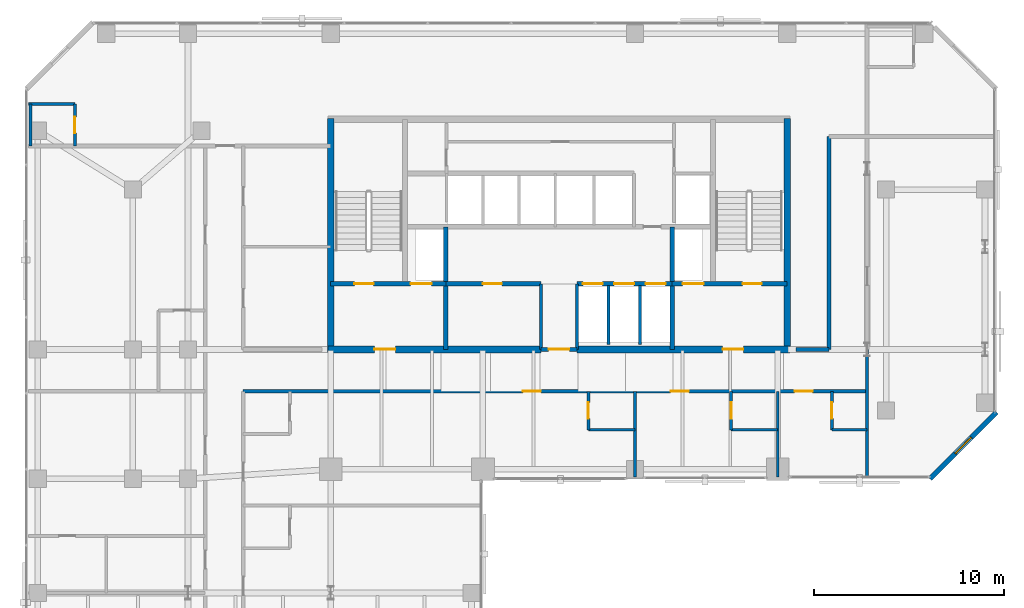
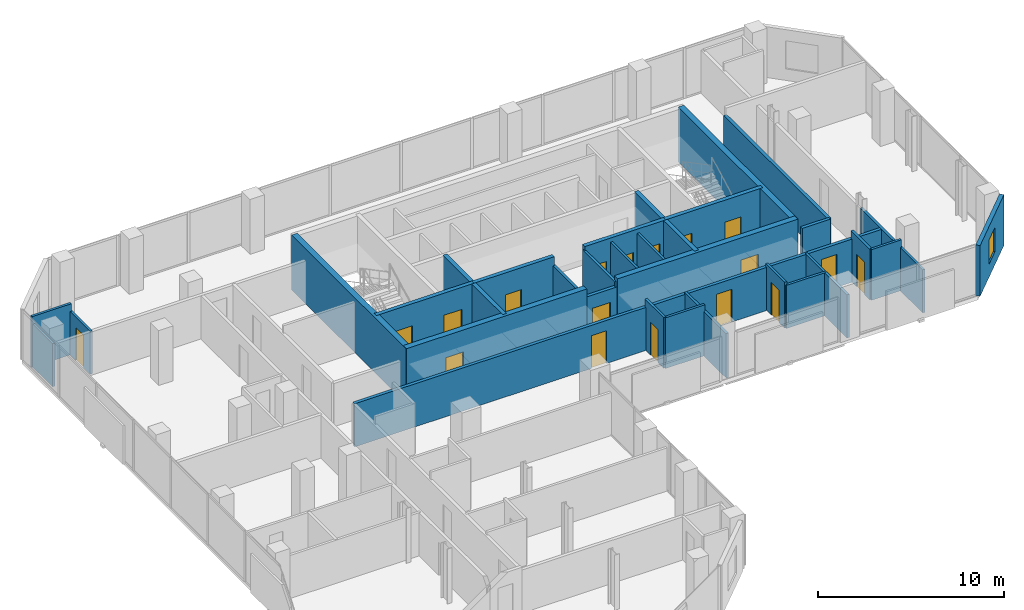
# One storey, part 29 of 34: 31 walls, 18 doors, 1 window, 19 openings.
"""IFC4 building model written with IfcOpenShell, lengths in metres."""

from ifc_helpers import new_model, si_unit, direction, frame, frame_2d, origin, place, context, subcontext, project, spatial, rectangle, extrude, material, layer, layer_set, type_object, element, fill, save


model = new_model("IFC4")

# Units and contexts
model_context = context("Model", 3, precision=1e-05, world=origin(), true_north=direction((0.0, 1.0)))
body_context = subcontext(model_context, "Body", "Model", "MODEL_VIEW")
ifc_project = project(units=[si_unit("LENGTHUNIT", "METRE"), si_unit("AREAUNIT", "SQUARE_METRE"), si_unit("VOLUMEUNIT", "CUBIC_METRE"), si_unit("PLANEANGLEUNIT", "RADIAN"), si_unit("MASSUNIT", "GRAM", prefix="KILO")], contexts=[model_context])

# Site, building, storey
site_placement = place(None, origin())
site = spatial("IfcSite", under=ifc_project, at=site_placement, CompositionType="ELEMENT")
building_placement = place(site_placement, origin())
building = spatial("IfcBuilding", under=site, at=building_placement, Name="Catumbela Crestline Tower", CompositionType="ELEMENT")
storey_placement = place(building_placement, frame((0.0, 0.0, 93.6)))
storey = spatial("IfcBuildingStorey", under=building, at=storey_placement, Name="L23", CompositionType="ELEMENT", Elevation=93.6)

# Walls
ifc_material_1 = material(Name="Concrete C50/60", Category="concrete")
ifc_layer_1 = layer(ifc_material_1, 0.25, Name="Concrete C50/60")
ifc_layer_set_1 = layer_set([ifc_layer_1], Name="Concrete C50/60")
wall_type_1 = type_object("IfcWallType", Name="CW-250D", PredefinedType="SHEAR", material=ifc_layer_set_1)
for number, where, z_axis, x_axis, name in (
    (1, (22.05, 30.8, 0.0), (0.0, 0.0, 1.0), (0.0, 1.0, 0.0), "L23 Structural Core Shear Wall FFW"),
    (2, (33.95, 30.8, 0.0), (0.0, 0.0, 1.0), (0.0, 1.0, 0.0), "L23 Structural Core Shear Wall FFE"),
):
    element("IfcWall", number, at=place(storey_placement, frame(where, z_axis=z_axis, x_axis=x_axis)), inside=storey, type_object=wall_type_1, Name=name, PredefinedType="SHEAR", context=body_context, shape_type="SweptSolid", body=[
        extrude(rectangle(XDim=6.45, YDim=0.25, at=frame_2d((3.225, 0.0))), origin(), (0.0, 0.0, 1.0), 3.6),
    ])

# Wall, openings, doors
wall_1_placement = place(storey_placement, frame((16.0, 34.25, 0.0), z_axis=(0.0, 0.0, 1.0), x_axis=(1.0, 0.0, 0.0)))
wall_1 = element("IfcWall", 3, at=wall_1_placement, inside=storey, type_object=wall_type_1, Name="L23 Structural Core Shear Wall ST1S", PredefinedType="SHEAR", context=body_context, shape_type="SweptSolid", body=[
    extrude(rectangle(XDim=6.05, YDim=0.25, at=frame_2d((3.025, 0.0))), origin(), (0.0, 0.0, 1.0), 3.6),
])
opening_1_placement = place(wall_1_placement, frame((1.25, 0.0, 0.0)))
opening_1 = element("IfcOpeningElement", 4, at=opening_1_placement, cuts=wall_1, Name="Opening DF9-100", PredefinedType="OPENING", context=body_context, shape_type="SweptSolid", body=[
    extrude(rectangle(XDim=1.0, YDim=2.15, at=frame_2d((0.5, 1.075))), frame((0.0, 0.135, 0.0), z_axis=(0.0, -1.0, 0.0), x_axis=(1.0, 0.0, 0.0)), (0.0, 0.0, 1.0), 0.27),
])
opening_2_placement = place(wall_1_placement, frame((4.2, 0.0, 0.0)))
opening_2 = element("IfcOpeningElement", 5, at=opening_2_placement, cuts=wall_1, Name="Opening LD-110", PredefinedType="OPENING", context=body_context, shape_type="SweptSolid", body=[
    extrude(rectangle(XDim=1.1, YDim=2.15, at=frame_2d((0.55, 1.075))), frame((0.0, 0.135, 0.0), z_axis=(0.0, -1.0, 0.0), x_axis=(1.0, 0.0, 0.0)), (0.0, 0.0, 1.0), 0.27),
])
ifc_material_2 = material(Name="Stainless steel EN 1.4401", Category="steel")
door_type_1 = type_object("IfcDoorType", Name="DF9-100", OperationType="NOTDEFINED", PredefinedType="DOOR", material=ifc_material_2)
door_1_placement = place(opening_1_placement, origin())
door_1 = element("IfcDoor", 6, at=door_1_placement, inside=storey, type_object=door_type_1, Name="L23 Interior Door DR-L23-ST01", OperationType="SINGLE_SWING_LEFT", OverallHeight=2.15, OverallWidth=1.0, PredefinedType="DOOR", context=body_context, shape_type="SweptSolid", body=[
    extrude(rectangle(XDim=1.0, YDim=2.15, at=frame_2d((0.5, 1.075))), frame((0.0, 0.025, 0.0), z_axis=(0.0, -1.0, 0.0), x_axis=(1.0, 0.0, 0.0)), (0.0, 0.0, 1.0), 0.05),
])
fill(opening_1, door_1)
door_type_2 = type_object("IfcDoorType", Name="LD-110", OperationType="NOTDEFINED", PredefinedType="DOOR", material=ifc_material_2)
door_2_placement = place(opening_2_placement, origin())
door_2 = element("IfcDoor", 7, at=door_2_placement, inside=storey, type_object=door_type_2, Name="L23 Lift Landing Sliding Door FL-01", OperationType="DOUBLE_DOOR_SLIDING", OverallHeight=2.15, OverallWidth=1.1, PredefinedType="DOOR", context=body_context, shape_type="SweptSolid", body=[
    extrude(rectangle(XDim=1.1, YDim=2.15, at=frame_2d((0.55, 1.075))), frame((0.0, 0.025, 0.0), z_axis=(0.0, -1.0, 0.0), x_axis=(1.0, 0.0, 0.0)), (0.0, 0.0, 1.0), 0.05),
])
fill(opening_2, door_2)

wall_2_placement = place(storey_placement, frame((33.95, 34.25, 0.0), z_axis=(0.0, 0.0, 1.0), x_axis=(1.0, 0.0, 0.0)))
wall_2 = element("IfcWall", 8, at=wall_2_placement, inside=storey, type_object=wall_type_1, Name="L23 Structural Core Shear Wall ST2S", PredefinedType="SHEAR", context=body_context, shape_type="SweptSolid", body=[
    extrude(rectangle(XDim=6.05, YDim=0.25, at=frame_2d((3.025, 0.0))), origin(), (0.0, 0.0, 1.0), 3.6),
])
opening_3_placement = place(wall_2_placement, frame((3.7, 0.0, 0.0)))
opening_3 = element("IfcOpeningElement", 9, at=opening_3_placement, cuts=wall_2, Name="Opening DF9-100", PredefinedType="OPENING", context=body_context, shape_type="SweptSolid", body=[
    extrude(rectangle(XDim=1.0, YDim=2.15, at=frame_2d((0.5, 1.075))), frame((0.0, 0.135, 0.0), z_axis=(0.0, -1.0, 0.0), x_axis=(1.0, 0.0, 0.0)), (0.0, 0.0, 1.0), 0.27),
])
opening_4_placement = place(wall_2_placement, frame((0.55, 0.0, 0.0)))
opening_4 = element("IfcOpeningElement", 10, at=opening_4_placement, cuts=wall_2, Name="Opening LD-110", PredefinedType="OPENING", context=body_context, shape_type="SweptSolid", body=[
    extrude(rectangle(XDim=1.1, YDim=2.15, at=frame_2d((0.55, 1.075))), frame((0.0, 0.135, 0.0), z_axis=(0.0, -1.0, 0.0), x_axis=(1.0, 0.0, 0.0)), (0.0, 0.0, 1.0), 0.27),
])
door_3_placement = place(opening_3_placement, origin())
door_3 = element("IfcDoor", 11, at=door_3_placement, inside=storey, type_object=door_type_1, Name="L23 Interior Door DR-L23-ST02", OperationType="SINGLE_SWING_RIGHT", OverallHeight=2.15, OverallWidth=1.0, PredefinedType="DOOR", context=body_context, shape_type="SweptSolid", body=[
    extrude(rectangle(XDim=1.0, YDim=2.15, at=frame_2d((0.5, 1.075))), frame((0.0, 0.025, 0.0), z_axis=(0.0, -1.0, 0.0), x_axis=(1.0, 0.0, 0.0)), (0.0, 0.0, 1.0), 0.05),
])
fill(opening_3, door_3)
door_4_placement = place(opening_4_placement, origin())
door_4 = element("IfcDoor", 12, at=door_4_placement, inside=storey, type_object=door_type_2, Name="L23 Lift Landing Sliding Door FL-02", OperationType="DOUBLE_DOOR_SLIDING", OverallHeight=2.15, OverallWidth=1.1, PredefinedType="DOOR", context=body_context, shape_type="SweptSolid", body=[
    extrude(rectangle(XDim=1.1, YDim=2.15, at=frame_2d((0.55, 1.075))), frame((0.0, 0.025, 0.0), z_axis=(0.0, -1.0, 0.0), x_axis=(1.0, 0.0, 0.0)), (0.0, 0.0, 1.0), 0.05),
])
fill(opening_4, door_4)

# Wall, opening, door
wall_3_placement = place(storey_placement, frame((22.05, 34.25, 0.0), z_axis=(0.0, 0.0, 1.0), x_axis=(1.0, 0.0, 0.0)))
wall_3 = element("IfcWall", 13, at=wall_3_placement, inside=storey, type_object=wall_type_1, Name="L23 Structural Core Shear Wall LIFTS-W", PredefinedType="SHEAR", context=body_context, shape_type="SweptSolid", body=[
    extrude(rectangle(XDim=5.0, YDim=0.25, at=frame_2d((2.5, 0.0))), origin(), (0.0, 0.0, 1.0), 3.6),
])
opening_5_placement = place(wall_3_placement, frame((1.95, 0.0, 0.0)))
opening_5 = element("IfcOpeningElement", 14, at=opening_5_placement, cuts=wall_3, Name="Opening DF9-100", PredefinedType="OPENING", context=body_context, shape_type="SweptSolid", body=[
    extrude(rectangle(XDim=1.0, YDim=2.15, at=frame_2d((0.5, 1.075))), frame((0.0, 0.135, 0.0), z_axis=(0.0, -1.0, 0.0), x_axis=(1.0, 0.0, 0.0)), (0.0, 0.0, 1.0), 0.27),
])
door_5_placement = place(opening_5_placement, origin())
door_5 = element("IfcDoor", 15, at=door_5_placement, inside=storey, type_object=door_type_1, Name="L23 Interior Door DR-L23-RECL1", OperationType="SINGLE_SWING_LEFT", OverallHeight=2.15, OverallWidth=1.0, PredefinedType="DOOR", context=body_context, shape_type="SweptSolid", body=[
    extrude(rectangle(XDim=1.0, YDim=2.15, at=frame_2d((0.5, 1.075))), frame((0.0, 0.025, 0.0), z_axis=(0.0, -1.0, 0.0), x_axis=(1.0, 0.0, 0.0)), (0.0, 0.0, 1.0), 0.05),
])
fill(opening_5, door_5)

# Wall, openings, doors
wall_4_placement = place(storey_placement, frame((28.95, 34.25, 0.0), z_axis=(0.0, 0.0, 1.0), x_axis=(1.0, 0.0, 0.0)))
wall_4 = element("IfcWall", 16, at=wall_4_placement, inside=storey, type_object=wall_type_1, Name="L23 Structural Core Shear Wall LIFTS-E", PredefinedType="SHEAR", context=body_context, shape_type="SweptSolid", body=[
    extrude(rectangle(XDim=5.0, YDim=0.25, at=frame_2d((2.5, 0.0))), origin(), (0.0, 0.0, 1.0), 3.6),
])
opening_6_placement = place(wall_4_placement, frame((0.3, 0.0, 0.0)))
opening_6 = element("IfcOpeningElement", 17, at=opening_6_placement, cuts=wall_4, Name="Opening LD-105", PredefinedType="OPENING", context=body_context, shape_type="SweptSolid", body=[
    extrude(rectangle(XDim=1.05, YDim=2.15, at=frame_2d((0.525, 1.075))), frame((0.0, 0.135, 0.0), z_axis=(0.0, -1.0, 0.0), x_axis=(1.0, 0.0, 0.0)), (0.0, 0.0, 1.0), 0.27),
])
opening_7_placement = place(wall_4_placement, frame((1.95, 0.0, 0.0)))
opening_7 = element("IfcOpeningElement", 18, at=opening_7_placement, cuts=wall_4, Name="Opening LD-105", PredefinedType="OPENING", context=body_context, shape_type="SweptSolid", body=[
    extrude(rectangle(XDim=1.05, YDim=2.15, at=frame_2d((0.525, 1.075))), frame((0.0, 0.135, 0.0), z_axis=(0.0, -1.0, 0.0), x_axis=(1.0, 0.0, 0.0)), (0.0, 0.0, 1.0), 0.27),
])
opening_8_placement = place(wall_4_placement, frame((3.6, 0.0, 0.0)))
opening_8 = element("IfcOpeningElement", 19, at=opening_8_placement, cuts=wall_4, Name="Opening LD-105", PredefinedType="OPENING", context=body_context, shape_type="SweptSolid", body=[
    extrude(rectangle(XDim=1.05, YDim=2.15, at=frame_2d((0.525, 1.075))), frame((0.0, 0.135, 0.0), z_axis=(0.0, -1.0, 0.0), x_axis=(1.0, 0.0, 0.0)), (0.0, 0.0, 1.0), 0.27),
])
door_type_3 = type_object("IfcDoorType", Name="LD-105", OperationType="NOTDEFINED", PredefinedType="DOOR", material=ifc_material_2)
door_6_placement = place(opening_6_placement, origin())
door_6 = element("IfcDoor", 20, at=door_6_placement, inside=storey, type_object=door_type_3, Name="L23 Lift Landing Sliding Door PL-M1", OperationType="DOUBLE_DOOR_SLIDING", OverallHeight=2.15, OverallWidth=1.05, PredefinedType="DOOR", context=body_context, shape_type="SweptSolid", body=[
    extrude(rectangle(XDim=1.05, YDim=2.15, at=frame_2d((0.525, 1.075))), frame((0.0, 0.025, 0.0), z_axis=(0.0, -1.0, 0.0), x_axis=(1.0, 0.0, 0.0)), (0.0, 0.0, 1.0), 0.05),
])
fill(opening_6, door_6)
door_7_placement = place(opening_7_placement, origin())
door_7 = element("IfcDoor", 21, at=door_7_placement, inside=storey, type_object=door_type_3, Name="L23 Lift Landing Sliding Door PL-M2", OperationType="DOUBLE_DOOR_SLIDING", OverallHeight=2.15, OverallWidth=1.05, PredefinedType="DOOR", context=body_context, shape_type="SweptSolid", body=[
    extrude(rectangle(XDim=1.05, YDim=2.15, at=frame_2d((0.525, 1.075))), frame((0.0, 0.025, 0.0), z_axis=(0.0, -1.0, 0.0), x_axis=(1.0, 0.0, 0.0)), (0.0, 0.0, 1.0), 0.05),
])
fill(opening_7, door_7)
door_8_placement = place(opening_8_placement, origin())
door_8 = element("IfcDoor", 22, at=door_8_placement, inside=storey, type_object=door_type_3, Name="L23 Lift Landing Sliding Door PL-M3", OperationType="DOUBLE_DOOR_SLIDING", OverallHeight=2.15, OverallWidth=1.05, PredefinedType="DOOR", context=body_context, shape_type="SweptSolid", body=[
    extrude(rectangle(XDim=1.05, YDim=2.15, at=frame_2d((0.525, 1.075))), frame((0.0, 0.025, 0.0), z_axis=(0.0, -1.0, 0.0), x_axis=(1.0, 0.0, 0.0)), (0.0, 0.0, 1.0), 0.05),
])
fill(opening_8, door_8)

# Walls
ifc_layer_2 = layer(ifc_material_1, 0.35, Name="Concrete C50/60")
ifc_layer_set_2 = layer_set([ifc_layer_2], Name="Concrete C50/60")
wall_type_2 = type_object("IfcWallType", Name="CW-350B", PredefinedType="SHEAR", material=ifc_layer_set_2)
for number, where, z_axis, x_axis, name in (
    (23, (16.0, 30.65, 0.0), (0.0, 0.0, 1.0), (0.0, 1.0, 0.0), "L23 Structural Core Shear Wall W"),
    (24, (40.0, 30.65, 0.0), (0.0, 0.0, 1.0), (0.0, 1.0, 0.0), "L23 Structural Core Shear Wall E"),
):
    element("IfcWall", number, at=place(storey_placement, frame(where, z_axis=z_axis, x_axis=x_axis)), inside=storey, type_object=wall_type_2, Name=name, PredefinedType="SHEAR", context=body_context, shape_type="SweptSolid", body=[
        extrude(rectangle(XDim=12.3, YDim=0.35, at=frame_2d((6.15, 0.0))), origin(), (0.0, 0.0, 1.0), 3.6),
    ])

# Wall, opening, door
wall_5_placement = place(storey_placement, frame((15.85, 30.8, 0.0), z_axis=(0.0, 0.0, 1.0), x_axis=(1.0, 0.0, 0.0)))
wall_5 = element("IfcWall", 25, at=wall_5_placement, inside=storey, type_object=wall_type_2, Name="L23 Structural Core Shear Wall SW", PredefinedType="SHEAR", context=body_context, shape_type="SweptSolid", body=[
    extrude(rectangle(XDim=11.2, YDim=0.35, at=frame_2d((5.6, 0.0))), origin(), (0.0, 0.0, 1.0), 3.6),
])
opening_9_placement = place(wall_5_placement, frame((2.45, 0.0, 0.0)))
opening_9 = element("IfcOpeningElement", 26, at=opening_9_placement, cuts=wall_5, Name="Opening DF9-110", PredefinedType="OPENING", context=body_context, shape_type="SweptSolid", body=[
    extrude(rectangle(XDim=1.1, YDim=2.15, at=frame_2d((0.55, 1.075))), frame((0.0, 0.185, 0.0), z_axis=(0.0, -1.0, 0.0), x_axis=(1.0, 0.0, 0.0)), (0.0, 0.0, 1.0), 0.37),
])
door_type_4 = type_object("IfcDoorType", Name="DF9-110", OperationType="NOTDEFINED", PredefinedType="DOOR", material=ifc_material_2)
door_9_placement = place(opening_9_placement, origin())
door_9 = element("IfcDoor", 27, at=door_9_placement, inside=storey, type_object=door_type_4, Name="L23 Interior Door DR-L23-FFW-S", OperationType="SINGLE_SWING_LEFT", OverallHeight=2.15, OverallWidth=1.1, PredefinedType="DOOR", context=body_context, shape_type="SweptSolid", body=[
    extrude(rectangle(XDim=1.1, YDim=2.15, at=frame_2d((0.55, 1.075))), frame((0.0, 0.025, 0.0), z_axis=(0.0, -1.0, 0.0), x_axis=(1.0, 0.0, 0.0)), (0.0, 0.0, 1.0), 0.05),
])
fill(opening_9, door_9)

wall_6_placement = place(storey_placement, frame((28.95, 30.8, 0.0), z_axis=(0.0, 0.0, 1.0), x_axis=(1.0, 0.0, 0.0)))
wall_6 = element("IfcWall", 28, at=wall_6_placement, inside=storey, type_object=wall_type_2, Name="L23 Structural Core Shear Wall SE", PredefinedType="SHEAR", context=body_context, shape_type="SweptSolid", body=[
    extrude(rectangle(XDim=11.2, YDim=0.35, at=frame_2d((5.6, 0.0))), origin(), (0.0, 0.0, 1.0), 3.6),
])
opening_10_placement = place(wall_6_placement, frame((7.65, 0.0, 0.0)))
opening_10 = element("IfcOpeningElement", 29, at=opening_10_placement, cuts=wall_6, Name="Opening DF9-110", PredefinedType="OPENING", context=body_context, shape_type="SweptSolid", body=[
    extrude(rectangle(XDim=1.1, YDim=2.15, at=frame_2d((0.55, 1.075))), frame((0.0, 0.185, 0.0), z_axis=(0.0, -1.0, 0.0), x_axis=(1.0, 0.0, 0.0)), (0.0, 0.0, 1.0), 0.37),
])
door_10_placement = place(opening_10_placement, origin())
door_10 = element("IfcDoor", 30, at=door_10_placement, inside=storey, type_object=door_type_4, Name="L23 Interior Door DR-L23-FFE-S", OperationType="SINGLE_SWING_RIGHT", OverallHeight=2.15, OverallWidth=1.1, PredefinedType="DOOR", context=body_context, shape_type="SweptSolid", body=[
    extrude(rectangle(XDim=1.1, YDim=2.15, at=frame_2d((0.55, 1.075))), frame((0.0, 0.025, 0.0), z_axis=(0.0, -1.0, 0.0), x_axis=(1.0, 0.0, 0.0)), (0.0, 0.0, 1.0), 0.05),
])
fill(opening_10, door_10)

ifc_material_3 = material(Name="Acoustic gypsum and mineral-wool partition")
ifc_layer_3 = layer(ifc_material_3, 0.2, Name="Acoustic gypsum and mineral-wool partition")
ifc_layer_set_3 = layer_set([ifc_layer_3], Name="Acoustic gypsum and mineral-wool partition")
wall_type_3 = type_object("IfcWallType", Name="WC-200", PredefinedType="PARTITIONING", material=ifc_layer_set_3)
wall_7_placement = place(storey_placement, frame((27.05, 30.8, 0.0), z_axis=(0.0, 0.0, 1.0), x_axis=(1.0, 0.0, 0.0)))
wall_7 = element("IfcWall", 31, at=wall_7_placement, inside=storey, type_object=wall_type_3, Name="L23 Interior Partition PW-L23-CLOBS", PredefinedType="PARTITIONING", context=body_context, shape_type="SweptSolid", body=[
    extrude(rectangle(XDim=1.9, YDim=0.2, at=frame_2d((0.95, 0.0))), origin(), (0.0, 0.0, 1.0), 3.02),
])
opening_11_placement = place(wall_7_placement, frame((0.4, 0.0, 0.0)))
opening_11 = element("IfcOpeningElement", 32, at=opening_11_placement, cuts=wall_7, Name="Opening DF9-110", PredefinedType="OPENING", context=body_context, shape_type="SweptSolid", body=[
    extrude(rectangle(XDim=1.1, YDim=2.15, at=frame_2d((0.55, 1.075))), frame((0.0, 0.11, 0.0), z_axis=(0.0, -1.0, 0.0), x_axis=(1.0, 0.0, 0.0)), (0.0, 0.0, 1.0), 0.22),
])
door_11_placement = place(opening_11_placement, origin())
door_11 = element("IfcDoor", 33, at=door_11_placement, inside=storey, type_object=door_type_4, Name="L23 Interior Door DR-L23-CLOBS", OperationType="SINGLE_SWING_LEFT", OverallHeight=2.15, OverallWidth=1.1, PredefinedType="DOOR", context=body_context, shape_type="SweptSolid", body=[
    extrude(rectangle(XDim=1.1, YDim=2.15, at=frame_2d((0.55, 1.075))), frame((0.0, 0.025, 0.0), z_axis=(0.0, -1.0, 0.0), x_axis=(1.0, 0.0, 0.0)), (0.0, 0.0, 1.0), 0.05),
])
fill(opening_11, door_11)

# Wall, openings, doors
wall_8_placement = place(storey_placement, frame((11.4, 28.6, 0.0), z_axis=(0.0, 0.0, 1.0), x_axis=(1.0, 0.0, 0.0)))
wall_8 = element("IfcWall", 34, at=wall_8_placement, inside=storey, type_object=wall_type_3, Name="L23 Interior Partition PW-L23-Z2CW-N2", PredefinedType="PARTITIONING", context=body_context, shape_type="SweptSolid", body=[
    extrude(rectangle(XDim=32.8, YDim=0.2, at=frame_2d((16.4, 0.0))), origin(), (0.0, 0.0, 1.0), 2.83),
])
opening_12_placement = place(wall_8_placement, frame((14.7, 0.0, 0.0)))
opening_12 = element("IfcOpeningElement", 35, at=opening_12_placement, cuts=wall_8, Name="Opening DF6-095", PredefinedType="OPENING", context=body_context, shape_type="SweptSolid", body=[
    extrude(rectangle(XDim=0.95, YDim=2.15, at=frame_2d((0.475, 1.075))), frame((0.0, 0.11, 0.0), z_axis=(0.0, -1.0, 0.0), x_axis=(1.0, 0.0, 0.0)), (0.0, 0.0, 1.0), 0.22),
])
opening_13_placement = place(wall_8_placement, frame((22.475, 0.0, 0.0)))
opening_13 = element("IfcOpeningElement", 36, at=opening_13_placement, cuts=wall_8, Name="Opening DF6-095", PredefinedType="OPENING", context=body_context, shape_type="SweptSolid", body=[
    extrude(rectangle(XDim=0.95, YDim=2.15, at=frame_2d((0.475, 1.075))), frame((0.0, 0.11, 0.0), z_axis=(0.0, -1.0, 0.0), x_axis=(1.0, 0.0, 0.0)), (0.0, 0.0, 1.0), 0.22),
])
opening_14_placement = place(wall_8_placement, frame((28.985, 0.0, 0.0)))
opening_14 = element("IfcOpeningElement", 37, at=opening_14_placement, cuts=wall_8, Name="Opening DF6-095", PredefinedType="OPENING", context=body_context, shape_type="SweptSolid", body=[
    extrude(rectangle(XDim=0.95, YDim=2.15, at=frame_2d((0.475, 1.075))), frame((0.0, 0.11, 0.0), z_axis=(0.0, -1.0, 0.0), x_axis=(1.0, 0.0, 0.0)), (0.0, 0.0, 1.0), 0.22),
])
ifc_material_4 = material(Name="Aluminium alloy AW-6060-T66", Category="aluminium")
door_type_5 = type_object("IfcDoorType", Name="DF6-095", OperationType="NOTDEFINED", PredefinedType="DOOR", material=ifc_material_4)
door_12_placement = place(opening_12_placement, origin())
door_12 = element("IfcDoor", 38, at=door_12_placement, inside=storey, type_object=door_type_5, Name="L23 Interior Door DR-L23-SS1-ENT", OperationType="SINGLE_SWING_RIGHT", OverallHeight=2.15, OverallWidth=0.95, PredefinedType="DOOR", context=body_context, shape_type="SweptSolid", body=[
    extrude(rectangle(XDim=0.95, YDim=2.15, at=frame_2d((0.475, 1.075))), frame((0.0, 0.025, 0.0), z_axis=(0.0, -1.0, 0.0), x_axis=(1.0, 0.0, 0.0)), (0.0, 0.0, 1.0), 0.05),
])
fill(opening_12, door_12)
door_13_placement = place(opening_13_placement, origin())
door_13 = element("IfcDoor", 39, at=door_13_placement, inside=storey, type_object=door_type_5, Name="L23 Interior Door DR-L23-SS2-ENT", OperationType="SINGLE_SWING_LEFT", OverallHeight=2.15, OverallWidth=0.95, PredefinedType="DOOR", context=body_context, shape_type="SweptSolid", body=[
    extrude(rectangle(XDim=0.95, YDim=2.15, at=frame_2d((0.475, 1.075))), frame((0.0, 0.025, 0.0), z_axis=(0.0, -1.0, 0.0), x_axis=(1.0, 0.0, 0.0)), (0.0, 0.0, 1.0), 0.05),
])
fill(opening_13, door_13)
door_14_placement = place(opening_14_placement, origin())
door_14 = element("IfcDoor", 40, at=door_14_placement, inside=storey, type_object=door_type_5, Name="L23 Interior Door DR-L23-SS3-ENT", OperationType="SINGLE_SWING_RIGHT", OverallHeight=2.15, OverallWidth=0.95, PredefinedType="DOOR", context=body_context, shape_type="SweptSolid", body=[
    extrude(rectangle(XDim=0.95, YDim=2.15, at=frame_2d((0.475, 1.075))), frame((0.0, 0.025, 0.0), z_axis=(0.0, -1.0, 0.0), x_axis=(1.0, 0.0, 0.0)), (0.0, 0.0, 1.0), 0.05),
])
fill(opening_14, door_14)

# Walls
wall_9_placement = place(storey_placement, frame((40.47, 30.8, 0.0), z_axis=(0.0, 0.0, 1.0), x_axis=(1.0, 0.0, 0.0)))
element("IfcWall", 41, at=wall_9_placement, inside=storey, type_object=wall_type_3, Name="L23 Interior Partition PW-L23-Z2CW-E1", PredefinedType="PARTITIONING", context=body_context, shape_type="SweptSolid", body=[
    extrude(rectangle(XDim=1.73, YDim=0.2, at=frame_2d((0.865, 0.0))), origin(), (0.0, 0.0, 1.0), 2.83),
])
wall_10_placement = place(storey_placement, frame((42.2, 30.8, 0.0), z_axis=(0.0, 0.0, 1.0), x_axis=(0.0, 1.0, 0.0)))
element("IfcWall", 42, at=wall_10_placement, inside=storey, type_object=wall_type_3, Name="L23 Interior Partition PW-L23-Z2CW-E2", PredefinedType="PARTITIONING", context=body_context, shape_type="SweptSolid", body=[
    extrude(rectangle(XDim=11.2, YDim=0.2, at=frame_2d((5.6, 0.0))), origin(), (0.0, 0.0, 1.0), 2.83),
])

# Wall, opening, window
ifc_material_5 = material(Name="Angolan grey-ochre granite", Category="masonry")
ifc_layer_4 = layer(ifc_material_5, 0.25, Name="Angolan grey-ochre granite")
ifc_layer_set_4 = layer_set([ifc_layer_4], Name="Angolan grey-ochre granite")
wall_type_4 = type_object("IfcWallType", Name="WE-250", PredefinedType="STANDARD", material=ifc_layer_set_4)
wall_11_placement = place(storey_placement, frame((47.5, 24.0, 0.0), z_axis=(0.0, 0.0, 1.0), x_axis=(0.707106781187, 0.707106781187, 0.0)))
wall_11 = element("IfcWall", 43, at=wall_11_placement, inside=storey, type_object=wall_type_4, Name="L23 Granite Punched Window Wall 4-1", PredefinedType="STANDARD", context=body_context, shape_type="SweptSolid", body=[
    extrude(rectangle(XDim=4.9497, YDim=0.25, at=frame_2d((2.4748, 0.0))), origin(), (0.0, 0.0, 1.0), 3.33),
])
opening_15_placement = place(wall_11_placement, frame((1.8748, 0.0, 0.85)))
opening_15 = element("IfcOpeningElement", 44, at=opening_15_placement, cuts=wall_11, Name="Opening WN-02", PredefinedType="OPENING", context=body_context, shape_type="SweptSolid", body=[
    extrude(rectangle(XDim=1.2, YDim=1.6, at=frame_2d((0.6, 0.8))), frame((0.0, 0.135, 0.0), z_axis=(0.0, -1.0, 0.0), x_axis=(1.0, 0.0, 0.0)), (0.0, 0.0, 1.0), 0.27),
])
ifc_material_6 = material(Name="Low-E laminated solar-control double glazing", Category="glass")
window_type = type_object("IfcWindowType", Name="WO-1200", PartitioningType="SINGLE_PANEL", PredefinedType="WINDOW", material=ifc_material_6)
window_placement = place(opening_15_placement, origin())
window = element("IfcWindow", 45, at=window_placement, inside=storey, type_object=window_type, Name="L23 Facade Vision Window 136", OverallHeight=1.6, OverallWidth=1.2, PartitioningType="SINGLE_PANEL", PredefinedType="WINDOW", context=body_context, shape_type="SweptSolid", body=[
    extrude(rectangle(XDim=1.2, YDim=1.6, at=frame_2d((0.6, 0.8))), frame((0.0, 0.03, 0.0), z_axis=(0.0, -1.0, 0.0), x_axis=(1.0, 0.0, 0.0)), (0.0, 0.0, 1.0), 0.06),
])
fill(opening_15, window)

# Wall
ifc_layer_5 = layer(ifc_material_3, 0.15, Name="Acoustic gypsum and mineral-wool partition")
ifc_layer_set_5 = layer_set([ifc_layer_5], Name="Acoustic gypsum and mineral-wool partition")
wall_type_5 = type_object("IfcWallType", Name="WP-150", PredefinedType="PARTITIONING", material=ifc_layer_set_5)
wall_12_placement = place(storey_placement, frame((0.1, 43.7, 0.0), z_axis=(0.0, 0.0, 1.0), x_axis=(1.0, 0.0, 0.0)))
element("IfcWall", 46, at=wall_12_placement, inside=storey, type_object=wall_type_5, Name="L23 Interior Partition PW-L23-Z2NWT-BHW", PredefinedType="PARTITIONING", context=body_context, shape_type="SweptSolid", body=[
    extrude(rectangle(XDim=2.45, YDim=0.15, at=frame_2d((1.225, 0.0))), origin(), (0.0, 0.0, 1.0), 3.33),
])

# Wall, opening, door
wall_13_placement = place(storey_placement, frame((2.55, 41.5, 0.0), z_axis=(0.0, 0.0, 1.0), x_axis=(0.0, 1.0, 0.0)))
wall_13 = element("IfcWall", 47, at=wall_13_placement, inside=storey, type_object=wall_type_5, Name="L23 Interior Partition PW-L23-Z2NWT-BEW", PredefinedType="PARTITIONING", context=body_context, shape_type="SweptSolid", body=[
    extrude(rectangle(XDim=2.2, YDim=0.15, at=frame_2d((1.1, 0.0))), origin(), (0.0, 0.0, 1.0), 2.83),
])
opening_16_placement = place(wall_13_placement, frame((0.675, 0.0, 0.0)))
opening_16 = element("IfcOpeningElement", 48, at=opening_16_placement, cuts=wall_13, Name="Opening DI-085", PredefinedType="OPENING", context=body_context, shape_type="SweptSolid", body=[
    extrude(rectangle(XDim=0.85, YDim=2.15, at=frame_2d((0.425, 1.075))), frame((0.0, 0.085, 0.0), z_axis=(0.0, -1.0, 0.0), x_axis=(1.0, 0.0, 0.0)), (0.0, 0.0, 1.0), 0.17),
])
door_type_6 = type_object("IfcDoorType", Name="DI-085", OperationType="NOTDEFINED", PredefinedType="DOOR", material=ifc_material_4)
door_15_placement = place(opening_16_placement, origin())
door_15 = element("IfcDoor", 49, at=door_15_placement, inside=storey, type_object=door_type_6, Name="L23 Interior Door DR-L23-Z2NWT-BTH", OperationType="SINGLE_SWING_LEFT", OverallHeight=2.15, OverallWidth=0.85, PredefinedType="DOOR", context=body_context, shape_type="SweptSolid", body=[
    extrude(rectangle(XDim=0.85, YDim=2.15, at=frame_2d((0.425, 1.075))), frame((0.0, 0.025, 0.0), z_axis=(0.0, -1.0, 0.0), x_axis=(1.0, 0.0, 0.0)), (0.0, 0.0, 1.0), 0.05),
])
fill(opening_16, door_15)

# Walls
wall_14_placement = place(storey_placement, frame((0.22, 41.5, 0.0), z_axis=(0.0, 0.0, 1.0), x_axis=(0.0, 1.0, 0.0)))
element("IfcWall", 50, at=wall_14_placement, inside=storey, type_object=wall_type_5, Name="L23 Interior Partition PW-L23-Z2NWT-BCL-2", PredefinedType="PARTITIONING", context=body_context, shape_type="SweptSolid", body=[
    extrude(rectangle(XDim=2.2, YDim=0.15, at=frame_2d((1.1, 0.0))), origin(), (0.0, 0.0, 1.0), 2.83),
])
wall_15_placement = place(storey_placement, frame((29.55, 26.576, 0.0), z_axis=(0.0, 0.0, 1.0), x_axis=(1.0, 0.0, 0.0)))
element("IfcWall", 51, at=wall_15_placement, inside=storey, type_object=wall_type_5, Name="L23 Interior Partition PW-L23-SS1-BHW", PredefinedType="PARTITIONING", context=body_context, shape_type="SweptSolid", body=[
    extrude(rectangle(XDim=2.45, YDim=0.15, at=frame_2d((1.225, 0.0))), origin(), (0.0, 0.0, 1.0), 3.33),
])

# Wall, opening, door
wall_16_placement = place(storey_placement, frame((29.55, 26.576, 0.0), z_axis=(0.0, 0.0, 1.0), x_axis=(0.0, 1.0, 0.0)))
wall_16 = element("IfcWall", 52, at=wall_16_placement, inside=storey, type_object=wall_type_5, Name="L23 Interior Partition PW-L23-SS1-BWW", PredefinedType="PARTITIONING", context=body_context, shape_type="SweptSolid", body=[
    extrude(rectangle(XDim=2.024, YDim=0.15, at=frame_2d((1.012, 0.0))), origin(), (0.0, 0.0, 1.0), 3.33),
])
opening_17_placement = place(wall_16_placement, frame((0.587, 0.0, 0.0)))
opening_17 = element("IfcOpeningElement", 53, at=opening_17_placement, cuts=wall_16, Name="Opening DI-085", PredefinedType="OPENING", context=body_context, shape_type="SweptSolid", body=[
    extrude(rectangle(XDim=0.85, YDim=2.15, at=frame_2d((0.425, 1.075))), frame((0.0, 0.085, 0.0), z_axis=(0.0, -1.0, 0.0), x_axis=(1.0, 0.0, 0.0)), (0.0, 0.0, 1.0), 0.17),
])
door_16_placement = place(opening_17_placement, origin())
door_16 = element("IfcDoor", 54, at=door_16_placement, inside=storey, type_object=door_type_6, Name="L23 Interior Door DR-L23-SS1-BTH", OperationType="SINGLE_SWING_RIGHT", OverallHeight=2.15, OverallWidth=0.85, PredefinedType="DOOR", context=body_context, shape_type="SweptSolid", body=[
    extrude(rectangle(XDim=0.85, YDim=2.15, at=frame_2d((0.425, 1.075))), frame((0.0, 0.025, 0.0), z_axis=(0.0, -1.0, 0.0), x_axis=(1.0, 0.0, 0.0)), (0.0, 0.0, 1.0), 0.05),
])
fill(opening_17, door_16)

# Walls
wall_17_placement = place(storey_placement, frame((32.0, 28.6, 0.0), z_axis=(0.0, 0.0, 1.0), x_axis=(0.0, -1.0, 0.0)))
element("IfcWall", 55, at=wall_17_placement, inside=storey, type_object=wall_type_5, Name="L23 Interior Partition PW-L23-SS1-BCL-2", PredefinedType="PARTITIONING", context=body_context, shape_type="SweptSolid", body=[
    extrude(rectangle(XDim=4.5, YDim=0.15, at=frame_2d((2.25, 0.0))), origin(), (0.0, 0.0, 1.0), 2.92),
])
wall_18_placement = place(storey_placement, frame((37.05, 26.576, 0.0), z_axis=(0.0, 0.0, 1.0), x_axis=(1.0, 0.0, 0.0)))
element("IfcWall", 56, at=wall_18_placement, inside=storey, type_object=wall_type_5, Name="L23 Interior Partition PW-L23-SS2-BHW", PredefinedType="PARTITIONING", context=body_context, shape_type="SweptSolid", body=[
    extrude(rectangle(XDim=2.45, YDim=0.15, at=frame_2d((1.225, 0.0))), origin(), (0.0, 0.0, 1.0), 2.83),
])

# Wall, opening, door
wall_19_placement = place(storey_placement, frame((37.05, 26.576, 0.0), z_axis=(0.0, 0.0, 1.0), x_axis=(0.0, 1.0, 0.0)))
wall_19 = element("IfcWall", 57, at=wall_19_placement, inside=storey, type_object=wall_type_5, Name="L23 Interior Partition PW-L23-SS2-BWW", PredefinedType="PARTITIONING", context=body_context, shape_type="SweptSolid", body=[
    extrude(rectangle(XDim=2.024, YDim=0.15, at=frame_2d((1.012, 0.0))), origin(), (0.0, 0.0, 1.0), 3.02),
])
opening_18_placement = place(wall_19_placement, frame((0.587, 0.0, 0.0)))
opening_18 = element("IfcOpeningElement", 58, at=opening_18_placement, cuts=wall_19, Name="Opening DI-085", PredefinedType="OPENING", context=body_context, shape_type="SweptSolid", body=[
    extrude(rectangle(XDim=0.85, YDim=2.15, at=frame_2d((0.425, 1.075))), frame((0.0, 0.085, 0.0), z_axis=(0.0, -1.0, 0.0), x_axis=(1.0, 0.0, 0.0)), (0.0, 0.0, 1.0), 0.17),
])
door_17_placement = place(opening_18_placement, origin())
door_17 = element("IfcDoor", 59, at=door_17_placement, inside=storey, type_object=door_type_6, Name="L23 Interior Door DR-L23-SS2-BTH", OperationType="SINGLE_SWING_RIGHT", OverallHeight=2.15, OverallWidth=0.85, PredefinedType="DOOR", context=body_context, shape_type="SweptSolid", body=[
    extrude(rectangle(XDim=0.85, YDim=2.15, at=frame_2d((0.425, 1.075))), frame((0.0, 0.025, 0.0), z_axis=(0.0, -1.0, 0.0), x_axis=(1.0, 0.0, 0.0)), (0.0, 0.0, 1.0), 0.05),
])
fill(opening_18, door_17)

# Walls
wall_20_placement = place(storey_placement, frame((39.5, 28.6, 0.0), z_axis=(0.0, 0.0, 1.0), x_axis=(0.0, -1.0, 0.0)))
element("IfcWall", 60, at=wall_20_placement, inside=storey, type_object=wall_type_5, Name="L23 Interior Partition PW-L23-SS2-BCL-2", PredefinedType="PARTITIONING", context=body_context, shape_type="SweptSolid", body=[
    extrude(rectangle(XDim=4.5, YDim=0.15, at=frame_2d((2.25, 0.0))), origin(), (0.0, 0.0, 1.0), 2.83),
])
wall_21_placement = place(storey_placement, frame((42.35, 26.576, 0.0), z_axis=(0.0, 0.0, 1.0), x_axis=(1.0, 0.0, 0.0)))
element("IfcWall", 61, at=wall_21_placement, inside=storey, type_object=wall_type_5, Name="L23 Interior Partition PW-L23-SS3-BHW", PredefinedType="PARTITIONING", context=body_context, shape_type="SweptSolid", body=[
    extrude(rectangle(XDim=1.85, YDim=0.15, at=frame_2d((0.925, 0.0))), origin(), (0.0, 0.0, 1.0), 3.33),
])

# Wall, opening, door
wall_22_placement = place(storey_placement, frame((42.35, 26.576, 0.0), z_axis=(0.0, 0.0, 1.0), x_axis=(0.0, 1.0, 0.0)))
wall_22 = element("IfcWall", 62, at=wall_22_placement, inside=storey, type_object=wall_type_5, Name="L23 Interior Partition PW-L23-SS3-BWW", PredefinedType="PARTITIONING", context=body_context, shape_type="SweptSolid", body=[
    extrude(rectangle(XDim=2.024, YDim=0.15, at=frame_2d((1.012, 0.0))), origin(), (0.0, 0.0, 1.0), 3.33),
])
opening_19_placement = place(wall_22_placement, frame((0.587, 0.0, 0.0)))
opening_19 = element("IfcOpeningElement", 63, at=opening_19_placement, cuts=wall_22, Name="Opening DI-085", PredefinedType="OPENING", context=body_context, shape_type="SweptSolid", body=[
    extrude(rectangle(XDim=0.85, YDim=2.15, at=frame_2d((0.425, 1.075))), frame((0.0, 0.085, 0.0), z_axis=(0.0, -1.0, 0.0), x_axis=(1.0, 0.0, 0.0)), (0.0, 0.0, 1.0), 0.17),
])
door_18_placement = place(opening_19_placement, origin())
door_18 = element("IfcDoor", 64, at=door_18_placement, inside=storey, type_object=door_type_6, Name="L23 Interior Door DR-L23-SS3-BTH", OperationType="SINGLE_SWING_RIGHT", OverallHeight=2.15, OverallWidth=0.85, PredefinedType="DOOR", context=body_context, shape_type="SweptSolid", body=[
    extrude(rectangle(XDim=0.85, YDim=2.15, at=frame_2d((0.425, 1.075))), frame((0.0, 0.025, 0.0), z_axis=(0.0, -1.0, 0.0), x_axis=(1.0, 0.0, 0.0)), (0.0, 0.0, 1.0), 0.05),
])
fill(opening_19, door_18)

# Walls
wall_23_placement = place(storey_placement, frame((44.2, 30.8, 0.0), z_axis=(0.0, 0.0, 1.0), x_axis=(0.0, -1.0, 0.0)))
element("IfcWall", 65, at=wall_23_placement, inside=storey, type_object=wall_type_5, Name="L23 Interior Partition PW-L23-SS3-BCL-2", PredefinedType="PARTITIONING", context=body_context, shape_type="SweptSolid", body=[
    extrude(rectangle(XDim=6.7, YDim=0.15, at=frame_2d((3.35, 0.0))), origin(), (0.0, 0.0, 1.0), 2.83),
])
ifc_layer_6 = layer(ifc_material_3, 0.15, Name="Acoustic gypsum and mineral-wool partition")
ifc_layer_set_6 = layer_set([ifc_layer_6], Name="Acoustic gypsum and mineral-wool partition")
wall_type_6 = type_object("IfcWallType", Name="WS-150", PredefinedType="PLUMBINGWALL", material=ifc_layer_set_6)
wall_24_placement = place(storey_placement, frame((27.05, 30.8, 0.0), z_axis=(0.0, 0.0, 1.0), x_axis=(0.0, 1.0, 0.0)))
element("IfcWall", 66, at=wall_24_placement, inside=storey, type_object=wall_type_6, Name="L23 Interior Partition PW-L23-THRW", PredefinedType="PLUMBINGWALL", context=body_context, shape_type="SweptSolid", body=[
    extrude(rectangle(XDim=3.45, YDim=0.15, at=frame_2d((1.725, 0.0))), origin(), (0.0, 0.0, 1.0), 3.02),
])
wall_25_placement = place(storey_placement, frame((28.95, 30.8, 0.0), z_axis=(0.0, 0.0, 1.0), x_axis=(0.0, 1.0, 0.0)))
element("IfcWall", 67, at=wall_25_placement, inside=storey, type_object=wall_type_6, Name="L23 Interior Partition PW-L23-THRE", PredefinedType="PLUMBINGWALL", context=body_context, shape_type="SweptSolid", body=[
    extrude(rectangle(XDim=3.45, YDim=0.15, at=frame_2d((1.725, 0.0))), origin(), (0.0, 0.0, 1.0), 3.33),
])
for number, where, z_axis, x_axis, name in (
    (68, (30.6, 31.05, 0.0), (0.0, 0.0, 1.0), (0.0, 1.0, 0.0), "L23 Interior Partition PW-L23-SHM1"),
    (69, (32.25, 31.05, 0.0), (0.0, 0.0, 1.0), (0.0, 1.0, 0.0), "L23 Interior Partition PW-L23-SHM2"),
):
    element("IfcWall", number, at=place(storey_placement, frame(where, z_axis=z_axis, x_axis=x_axis)), inside=storey, type_object=wall_type_6, Name=name, PredefinedType="PLUMBINGWALL", context=body_context, shape_type="SweptSolid", body=[
        extrude(rectangle(XDim=3.1, YDim=0.15, at=frame_2d((1.55, 0.0))), origin(), (0.0, 0.0, 1.0), 3.33),
    ])

save(model, "model.ifc")
